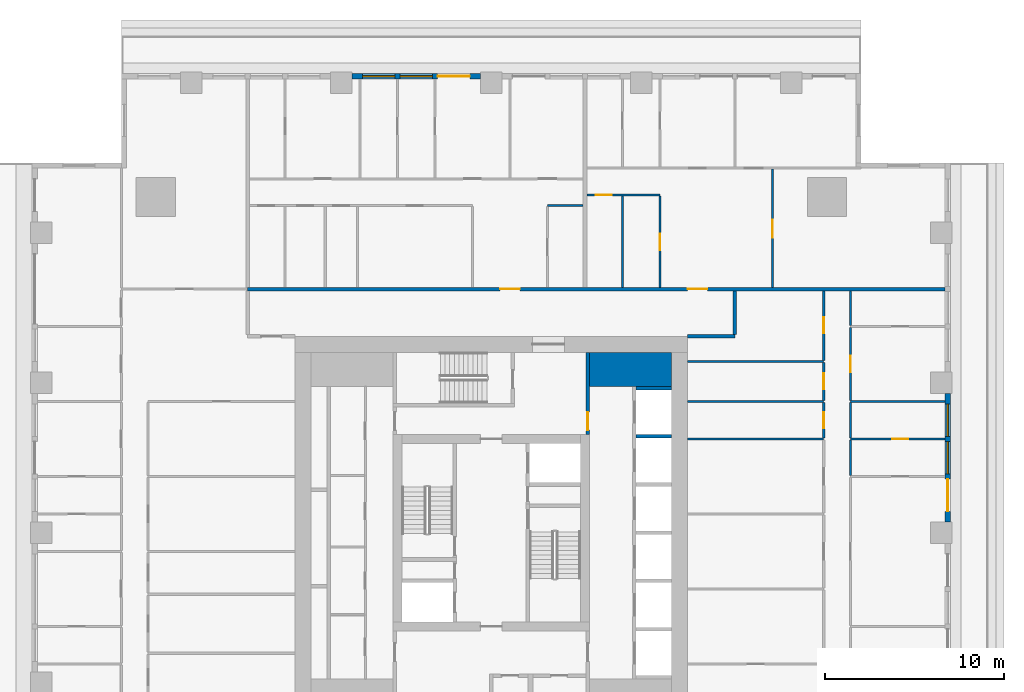
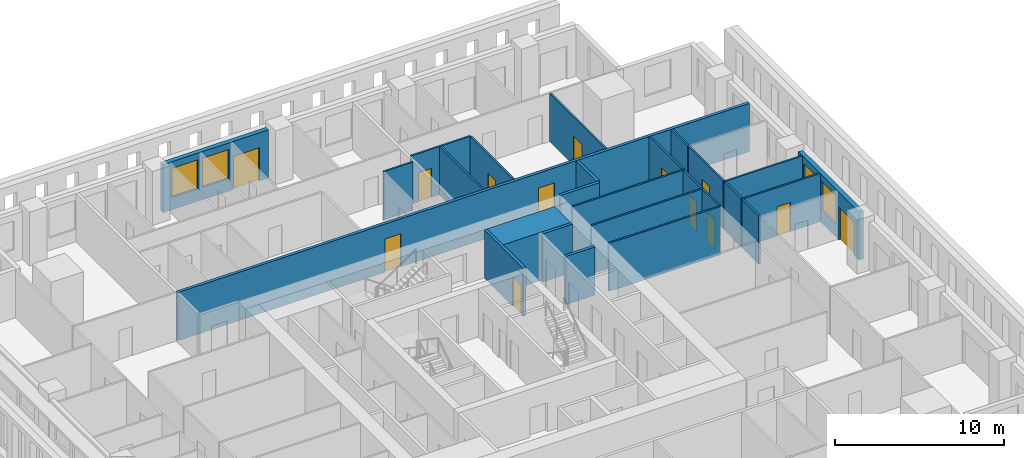
# One storey, part 8 of 15: 26 walls, 13 doors, 4 windows, 17 openings.
"""IFC4 building model written with IfcOpenShell, lengths in metres."""

from ifc_helpers import new_model, si_unit, direction, frame, frame_2d, origin, place, context, subcontext, project, spatial, rectangle, extrude, material, layer, layer_set, type_object, element, fill, save


model = new_model("IFC4")

# Units and contexts
model_context = context("Model", 3, precision=1e-05, world=origin(), true_north=direction((0.0, 1.0)))
body_context = subcontext(model_context, "Body", "Model", "MODEL_VIEW")
ifc_project = project(units=[si_unit("LENGTHUNIT", "METRE"), si_unit("AREAUNIT", "SQUARE_METRE"), si_unit("VOLUMEUNIT", "CUBIC_METRE"), si_unit("PLANEANGLEUNIT", "RADIAN"), si_unit("MASSUNIT", "GRAM", prefix="KILO")], contexts=[model_context])

# Site, building, storey
site_placement = place(None, origin())
site = spatial("IfcSite", under=ifc_project, at=site_placement, CompositionType="ELEMENT")
building_placement = place(site_placement, origin())
building = spatial("IfcBuilding", under=site, at=building_placement, Name="Khepri Terraces", CompositionType="ELEMENT")
storey_placement = place(building_placement, frame((0.0, 0.0, 260.10009765625)))
storey = spatial("IfcBuildingStorey", under=building, at=storey_placement, Name="L62", CompositionType="ELEMENT", Elevation=260.10009765625)

# Walls
ifc_material_1 = material(Name="Concrete C40/50", Category="concrete")
ifc_layer_1 = layer(ifc_material_1, 1.89990234375, Name="Concrete C40/50", Category="concrete")
ifc_layer_set_1 = layer_set([ifc_layer_1], Name="Concrete C40/50")
wall_type_1 = type_object("IfcWallType", Name="Core wall 1900 C40/50", PredefinedType="SHEAR", material=ifc_layer_set_1)
wall_1_placement = place(storey_placement, frame((5.5, 9.14990234375, 0.0), z_axis=(0.0, 0.0, 1.0), x_axis=(1.0, 0.0, 0.0)))
element("IfcWall", 1, at=wall_1_placement, inside=storey, type_object=wall_type_1, Name="Core wall PR04 L62", PredefinedType="SHEAR", context=body_context, shape_type="SweptSolid", body=[
    extrude(rectangle(XDim=4.60009765625, YDim=1.89990234375, at=frame_2d((2.300048828125, 0.0))), origin(), (0.0, 0.0, 1.0), 3.47998046875),
])
ifc_layer_2 = layer(ifc_material_1, 0.199951171875, Name="Concrete C40/50", Category="concrete")
ifc_layer_set_2 = layer_set([ifc_layer_2], Name="Concrete C40/50")
wall_type_2 = type_object("IfcWallType", Name="Core wall 200 C40/50", PredefinedType="SHEAR", material=ifc_layer_set_2)
for number, where, z_axis, x_axis, name in (
    (2, (8.10009765625, 5.39990234375, 0.0), (0.0, 0.0, 1.0), (1.0, 0.0, 0.0), "Core wall SH14 L62"),
    (3, (8.10009765625, 8.10009765625, 0.0), (0.0, 0.0, 1.0), (1.0, 0.0, 0.0), "Core wall SH15 L62"),
):
    element("IfcWall", number, at=place(storey_placement, frame(where, z_axis=z_axis, x_axis=x_axis)), inside=storey, type_object=wall_type_2, Name=name, PredefinedType="SHEAR", context=body_context, shape_type="SweptSolid", body=[
        extrude(rectangle(XDim=2.0, YDim=0.199951171875, at=frame_2d((1.0, 0.0))), origin(), (0.0, 0.0, 1.0), 3.47998046875),
    ])

# Wall, opening, door
ifc_material_2 = material(Name="Fire-rated gypsum board partition")
ifc_layer_3 = layer(ifc_material_2, 0.199951171875, Name="Fire-rated gypsum board partition")
ifc_layer_set_3 = layer_set([ifc_layer_3], Name="Fire-rated gypsum board partition")
wall_type_3 = type_object("IfcWallType", Name="WL-CORE-PART-200", PredefinedType="PARTITIONING", material=ifc_layer_set_3)
wall_2_placement = place(storey_placement, frame((5.39990234375, 5.5, 0.0), z_axis=(0.0, 0.0, 1.0), x_axis=(0.0, 1.0, 0.0)))
wall_2 = element("IfcWall", 4, at=wall_2_placement, inside=storey, type_object=wall_type_3, Name="Core partition PT12 L62", PredefinedType="PARTITIONING", context=body_context, shape_type="SweptSolid", body=[
    extrude(rectangle(XDim=4.60009765625, YDim=0.199951171875, at=frame_2d((2.300048828125, 0.0))), origin(), (0.0, 0.0, 1.0), 3.47998046875),
])
opening_1_placement = place(wall_2_placement, frame((0.25, 0.0, 0.0)))
opening_1 = element("IfcOpeningElement", 5, at=opening_1_placement, cuts=wall_2, Name="Opening L62-C17", PredefinedType="OPENING", context=body_context, shape_type="SweptSolid", body=[
    extrude(rectangle(XDim=1.0, YDim=2.10009765625, at=frame_2d((0.5, 1.050048828125))), frame((0.0, 0.10986328125, 0.0), z_axis=(0.0, -1.0, 0.0), x_axis=(1.0, 0.0, 0.0)), (0.0, 0.0, 1.0), 0.219970703125),
])
ifc_material_3 = material(Name="Painted steel", Category="steel")
door_type_1 = type_object("IfcDoorType", Name="DR-CORE-LOBBY-1000", OperationType="NOTDEFINED", PredefinedType="DOOR", material=ifc_material_3)
door_1_placement = place(opening_1_placement, origin())
door_1 = element("IfcDoor", 6, at=door_1_placement, inside=storey, type_object=door_type_1, Name="Lobby door L62-C17", OperationType="SINGLE_SWING_LEFT", OverallHeight=2.10009765625, OverallWidth=1.0, PredefinedType="DOOR", context=body_context, shape_type="SweptSolid", body=[
    extrude(rectangle(XDim=1.0, YDim=2.10009765625, at=frame_2d((0.5, 1.050048828125))), frame((0.0, 0.02490234375, 0.0), z_axis=(0.0, -1.0, 0.0), x_axis=(1.0, 0.0, 0.0)), (0.0, 0.0, 1.0), 0.050048828125),
])
fill(opening_1, door_1)

# Walls
ifc_material_4 = material(Name="Fire-rated gypsum plasterboard partition, mineral wool")
ifc_layer_4 = layer(ifc_material_4, 0.199951171875, Name="Fire-rated gypsum plasterboard partition, mineral wool")
ifc_layer_set_4 = layer_set([ifc_layer_4], Name="Fire-rated gypsum plasterboard partition, mineral wool")
wall_type_4 = type_object("IfcWallType", Name="WL-CORR-200", PredefinedType="PARTITIONING", material=ifc_layer_set_4)
wall_3_placement = place(storey_placement, frame((11.0, 11.0, 0.0), z_axis=(0.0, 0.0, 1.0), x_axis=(1.0, 0.0, 0.0)))
element("IfcWall", 7, at=wall_3_placement, inside=storey, type_object=wall_type_4, Name="Partition P-072 L62", PredefinedType="PARTITIONING", context=body_context, shape_type="SweptSolid", body=[
    extrude(rectangle(XDim=2.64990234375, YDim=0.199951171875, at=frame_2d((1.324951171875, 0.0))), origin(), (0.0, 0.0, 1.0), 3.47998046875),
])
wall_4_placement = place(storey_placement, frame((13.64990234375, 11.10009765625, 0.0), z_axis=(0.0, 0.0, 1.0), x_axis=(0.0, 1.0, 0.0)))
element("IfcWall", 8, at=wall_4_placement, inside=storey, type_object=wall_type_4, Name="Partition P-074 L62", PredefinedType="PARTITIONING", context=body_context, shape_type="SweptSolid", body=[
    extrude(rectangle(XDim=2.449951171875, YDim=0.199951171875, at=frame_2d((1.22509765625, 0.0))), origin(), (0.0, 0.0, 1.0), 3.47998046875),
])

# Wall, openings, doors
wall_5_placement = place(storey_placement, frame((-13.64990234375, 13.64990234375, 0.0), z_axis=(0.0, 0.0, 1.0), x_axis=(1.0, 0.0, 0.0)))
wall_5 = element("IfcWall", 9, at=wall_5_placement, inside=storey, type_object=wall_type_4, Name="Partition P-080 L62", PredefinedType="PARTITIONING", context=body_context, shape_type="SweptSolid", body=[
    extrude(rectangle(XDim=39.06982421875, YDim=0.199951171875, at=frame_2d((19.534912109375, 0.0))), origin(), (0.0, 0.0, 1.0), 3.47998046875),
])
opening_2_placement = place(wall_5_placement, frame((24.64990234375, 0.0, 0.0)))
opening_2 = element("IfcOpeningElement", 10, at=opening_2_placement, cuts=wall_5, Name="Opening D1", PredefinedType="OPENING", context=body_context, shape_type="SweptSolid", body=[
    extrude(rectangle(XDim=1.10009765625, YDim=2.39990234375, at=frame_2d((0.550048828125, 1.199951171875))), frame((0.0, 0.10986328125, 0.0), z_axis=(0.0, -1.0, 0.0), x_axis=(1.0, 0.0, 0.0)), (0.0, 0.0, 1.0), 0.219970703125),
])
opening_3_placement = place(wall_5_placement, frame((14.14990234375, 0.0, 0.0)))
opening_3 = element("IfcOpeningElement", 11, at=opening_3_placement, cuts=wall_5, Name="Opening D1", PredefinedType="OPENING", context=body_context, shape_type="SweptSolid", body=[
    extrude(rectangle(XDim=1.10009765625, YDim=2.39990234375, at=frame_2d((0.550048828125, 1.199951171875))), frame((0.0, 0.10986328125, 0.0), z_axis=(0.0, -1.0, 0.0), x_axis=(1.0, 0.0, 0.0)), (0.0, 0.0, 1.0), 0.219970703125),
])
ifc_material_5 = material(Name="Solid-core timber door leaf, flat entrance door", Category="wood")
door_type_2 = type_object("IfcDoorType", Name="DR-ENT-1100", OperationType="NOTDEFINED", PredefinedType="DOOR", material=ifc_material_5)
door_2_placement = place(opening_2_placement, origin())
door_2 = element("IfcDoor", 12, at=door_2_placement, inside=storey, type_object=door_type_2, Name="Flat C1 entrance door", OperationType="SINGLE_SWING_RIGHT", OverallHeight=2.39990234375, OverallWidth=1.10009765625, PredefinedType="DOOR", context=body_context, shape_type="SweptSolid", body=[
    extrude(rectangle(XDim=1.10009765625, YDim=2.39990234375, at=frame_2d((0.550048828125, 1.199951171875))), frame((0.0, 0.02490234375, 0.0), z_axis=(0.0, -1.0, 0.0), x_axis=(1.0, 0.0, 0.0)), (0.0, 0.0, 1.0), 0.050048828125),
])
fill(opening_2, door_2)
door_3_placement = place(opening_3_placement, origin())
door_3 = element("IfcDoor", 13, at=door_3_placement, inside=storey, type_object=door_type_2, Name="Flat C2 entrance door", OperationType="SINGLE_SWING_LEFT", OverallHeight=2.39990234375, OverallWidth=1.10009765625, PredefinedType="DOOR", context=body_context, shape_type="SweptSolid", body=[
    extrude(rectangle(XDim=1.10009765625, YDim=2.39990234375, at=frame_2d((0.550048828125, 1.199951171875))), frame((0.0, 0.02490234375, 0.0), z_axis=(0.0, -1.0, 0.0), x_axis=(1.0, 0.0, 0.0)), (0.0, 0.0, 1.0), 0.050048828125),
])
fill(opening_3, door_3)

# Wall, openings, door, windows
ifc_material_6 = material(Name="Precast concrete C50/60 warm stone", Category="masonry")
ifc_layer_5 = layer(ifc_material_6, 0.300048828125, Name="Precast concrete C50/60 warm stone", Category="masonry")
ifc_layer_set_5 = layer_set([ifc_layer_5], Name="Precast concrete C50/60 warm stone")
wall_type_5 = type_object("IfcWallType", Name="WL-EXT-PRECAST-300", PredefinedType="STANDARD", material=ifc_layer_set_5)
wall_6_placement = place(storey_placement, frame((25.570068359375, 0.60009765625, 0.0), z_axis=(0.0, 0.0, 1.0), x_axis=(0.0, 1.0, 0.0)))
wall_6 = element("IfcWall", 14, at=wall_6_placement, inside=storey, type_object=wall_type_5, Name="External wall L62 E", PredefinedType="STANDARD", context=body_context, shape_type="SweptSolid", body=[
    extrude(rectangle(XDim=7.199951171875, YDim=0.300048828125, at=frame_2d((3.60009765625, 0.0))), origin(), (0.0, 0.0, 1.0), 3.47998046875),
])
opening_4_placement = place(wall_6_placement, frame((0.60009765625, 0.0, 0.0)))
opening_4 = element("IfcOpeningElement", 15, at=opening_4_placement, cuts=wall_6, Name="Opening ED-L62-06", PredefinedType="OPENING", context=body_context, shape_type="SweptSolid", body=[
    extrude(rectangle(XDim=1.800048828125, YDim=2.39990234375, at=frame_2d((0.89990234375, 1.199951171875))), frame((0.0, 0.16015625, 0.0), z_axis=(0.0, -1.0, 0.0), x_axis=(1.0, 0.0, 0.0)), (0.0, 0.0, 1.0), 0.320068359375),
])
opening_5_placement = place(wall_6_placement, frame((2.699951171875, 0.0, 0.89990234375)))
opening_5 = element("IfcOpeningElement", 16, at=opening_5_placement, cuts=wall_6, Name="Opening W1", PredefinedType="OPENING", context=body_context, shape_type="SweptSolid", body=[
    extrude(rectangle(XDim=1.800048828125, YDim=2.10009765625, at=frame_2d((0.89990234375, 1.050048828125))), frame((0.0, 0.16015625, 0.0), z_axis=(0.0, -1.0, 0.0), x_axis=(1.0, 0.0, 0.0)), (0.0, 0.0, 1.0), 0.320068359375),
])
opening_6_placement = place(wall_6_placement, frame((4.800048828125, 0.0, 0.89990234375)))
opening_6 = element("IfcOpeningElement", 17, at=opening_6_placement, cuts=wall_6, Name="Opening W1", PredefinedType="OPENING", context=body_context, shape_type="SweptSolid", body=[
    extrude(rectangle(XDim=1.800048828125, YDim=2.10009765625, at=frame_2d((0.89990234375, 1.050048828125))), frame((0.0, 0.16015625, 0.0), z_axis=(0.0, -1.0, 0.0), x_axis=(1.0, 0.0, 0.0)), (0.0, 0.0, 1.0), 0.320068359375),
])
ifc_material_7 = material(Name="Anodised aluminium bronze glazed door", Category="aluminium")
door_type_3 = type_object("IfcDoorType", Name="DR-BAL-SLIDE-1800x2400", OperationType="NOTDEFINED", PredefinedType="DOOR", material=ifc_material_7)
door_4_placement = place(opening_4_placement, origin())
door_4 = element("IfcDoor", 18, at=door_4_placement, inside=storey, type_object=door_type_3, Name="Balcony door L62 E", OperationType="SLIDING_TO_LEFT", OverallHeight=2.39990234375, OverallWidth=1.800048828125, PredefinedType="DOOR", context=body_context, shape_type="SweptSolid", body=[
    extrude(rectangle(XDim=1.800048828125, YDim=2.39990234375, at=frame_2d((0.89990234375, 1.199951171875))), frame((0.0, 0.02490234375, 0.0), z_axis=(0.0, -1.0, 0.0), x_axis=(1.0, 0.0, 0.0)), (0.0, 0.0, 1.0), 0.050048828125),
])
fill(opening_4, door_4)
ifc_material_8 = material(Name="Clear glass", Category="glass")
window_type = type_object("IfcWindowType", Name="WIN-RES-1800x2100", PartitioningType="SINGLE_PANEL", PredefinedType="WINDOW", material=ifc_material_8)
window_1_placement = place(opening_5_placement, origin())
window_1 = element("IfcWindow", 19, at=window_1_placement, inside=storey, type_object=window_type, Name="Window L62 E", OverallHeight=2.10009765625, OverallWidth=1.800048828125, PartitioningType="SINGLE_PANEL", PredefinedType="WINDOW", context=body_context, shape_type="SweptSolid", body=[
    extrude(rectangle(XDim=1.800048828125, YDim=2.10009765625, at=frame_2d((0.89990234375, 1.050048828125))), frame((0.0, 0.030029296875, 0.0), z_axis=(0.0, -1.0, 0.0), x_axis=(1.0, 0.0, 0.0)), (0.0, 0.0, 1.0), 0.06005859375),
])
fill(opening_5, window_1)
window_2_placement = place(opening_6_placement, origin())
window_2 = element("IfcWindow", 20, at=window_2_placement, inside=storey, type_object=window_type, Name="Window L62 E", OverallHeight=2.10009765625, OverallWidth=1.800048828125, PartitioningType="SINGLE_PANEL", PredefinedType="WINDOW", context=body_context, shape_type="SweptSolid", body=[
    extrude(rectangle(XDim=1.800048828125, YDim=2.10009765625, at=frame_2d((0.89990234375, 1.050048828125))), frame((0.0, 0.030029296875, 0.0), z_axis=(0.0, -1.0, 0.0), x_axis=(1.0, 0.0, 0.0)), (0.0, 0.0, 1.0), 0.06005859375),
])
fill(opening_6, window_2)

wall_7_placement = place(storey_placement, frame((-0.60009765625, 25.570068359375, 0.0), z_axis=(0.0, 0.0, 1.0), x_axis=(-1.0, 0.0, 0.0)))
wall_7 = element("IfcWall", 21, at=wall_7_placement, inside=storey, type_object=wall_type_5, Name="External wall L62 N", PredefinedType="STANDARD", context=body_context, shape_type="SweptSolid", body=[
    extrude(rectangle(XDim=7.199951171875, YDim=0.300048828125, at=frame_2d((3.60009765625, 0.0))), origin(), (0.0, 0.0, 1.0), 3.47998046875),
])
opening_7_placement = place(wall_7_placement, frame((0.60009765625, 0.0, 0.0)))
opening_7 = element("IfcOpeningElement", 22, at=opening_7_placement, cuts=wall_7, Name="Opening ED-L62-11", PredefinedType="OPENING", context=body_context, shape_type="SweptSolid", body=[
    extrude(rectangle(XDim=1.800048828125, YDim=2.39990234375, at=frame_2d((0.89990234375, 1.199951171875))), frame((0.0, 0.16015625, 0.0), z_axis=(0.0, -1.0, 0.0), x_axis=(1.0, 0.0, 0.0)), (0.0, 0.0, 1.0), 0.320068359375),
])
opening_8_placement = place(wall_7_placement, frame((2.699951171875, 0.0, 0.89990234375)))
opening_8 = element("IfcOpeningElement", 23, at=opening_8_placement, cuts=wall_7, Name="Opening W1", PredefinedType="OPENING", context=body_context, shape_type="SweptSolid", body=[
    extrude(rectangle(XDim=1.800048828125, YDim=2.10009765625, at=frame_2d((0.89990234375, 1.050048828125))), frame((0.0, 0.16015625, 0.0), z_axis=(0.0, -1.0, 0.0), x_axis=(1.0, 0.0, 0.0)), (0.0, 0.0, 1.0), 0.320068359375),
])
opening_9_placement = place(wall_7_placement, frame((4.800048828125, 0.0, 0.89990234375)))
opening_9 = element("IfcOpeningElement", 24, at=opening_9_placement, cuts=wall_7, Name="Opening W1", PredefinedType="OPENING", context=body_context, shape_type="SweptSolid", body=[
    extrude(rectangle(XDim=1.800048828125, YDim=2.10009765625, at=frame_2d((0.89990234375, 1.050048828125))), frame((0.0, 0.16015625, 0.0), z_axis=(0.0, -1.0, 0.0), x_axis=(1.0, 0.0, 0.0)), (0.0, 0.0, 1.0), 0.320068359375),
])
door_5_placement = place(opening_7_placement, origin())
door_5 = element("IfcDoor", 25, at=door_5_placement, inside=storey, type_object=door_type_3, Name="Balcony door L62 N", OperationType="SLIDING_TO_LEFT", OverallHeight=2.39990234375, OverallWidth=1.800048828125, PredefinedType="DOOR", context=body_context, shape_type="SweptSolid", body=[
    extrude(rectangle(XDim=1.800048828125, YDim=2.39990234375, at=frame_2d((0.89990234375, 1.199951171875))), frame((0.0, 0.02490234375, 0.0), z_axis=(0.0, -1.0, 0.0), x_axis=(1.0, 0.0, 0.0)), (0.0, 0.0, 1.0), 0.050048828125),
])
fill(opening_7, door_5)
window_3_placement = place(opening_8_placement, origin())
window_3 = element("IfcWindow", 26, at=window_3_placement, inside=storey, type_object=window_type, Name="Window L62 N", OverallHeight=2.10009765625, OverallWidth=1.800048828125, PartitioningType="SINGLE_PANEL", PredefinedType="WINDOW", context=body_context, shape_type="SweptSolid", body=[
    extrude(rectangle(XDim=1.800048828125, YDim=2.10009765625, at=frame_2d((0.89990234375, 1.050048828125))), frame((0.0, 0.030029296875, 0.0), z_axis=(0.0, -1.0, 0.0), x_axis=(1.0, 0.0, 0.0)), (0.0, 0.0, 1.0), 0.06005859375),
])
fill(opening_8, window_3)
window_4_placement = place(opening_9_placement, origin())
window_4 = element("IfcWindow", 27, at=window_4_placement, inside=storey, type_object=window_type, Name="Window L62 N", OverallHeight=2.10009765625, OverallWidth=1.800048828125, PartitioningType="SINGLE_PANEL", PredefinedType="WINDOW", context=body_context, shape_type="SweptSolid", body=[
    extrude(rectangle(XDim=1.800048828125, YDim=2.10009765625, at=frame_2d((0.89990234375, 1.050048828125))), frame((0.0, 0.030029296875, 0.0), z_axis=(0.0, -1.0, 0.0), x_axis=(1.0, 0.0, 0.0)), (0.0, 0.0, 1.0), 0.06005859375),
])
fill(opening_9, window_4)

# Walls
ifc_material_9 = material(Name="Gypsum plasterboard partition")
ifc_layer_6 = layer(ifc_material_9, 0.1201171875, Name="Gypsum plasterboard partition")
ifc_layer_set_6 = layer_set([ifc_layer_6], Name="Gypsum plasterboard partition")
wall_type_6 = type_object("IfcWallType", Name="WL-PART-120", PredefinedType="PARTITIONING", material=ifc_layer_set_6)
wall_8_placement = place(storey_placement, frame((20.1201171875, 3.2099609375, 0.0), z_axis=(0.0, 0.0, 1.0), x_axis=(0.0, 1.0, 0.0)))
element("IfcWall", 28, at=wall_8_placement, inside=storey, type_object=wall_type_6, Name="Partition P-057 L62", PredefinedType="PARTITIONING", context=body_context, shape_type="SweptSolid", body=[
    extrude(rectangle(XDim=1.97998046875, YDim=0.1201171875, at=frame_2d((0.989990234375, 0.0))), origin(), (0.0, 0.0, 1.0), 3.47998046875),
])
wall_9_placement = place(storey_placement, frame((11.0, 5.25, 0.0), z_axis=(0.0, 0.0, 1.0), x_axis=(1.0, 0.0, 0.0)))
element("IfcWall", 29, at=wall_9_placement, inside=storey, type_object=wall_type_6, Name="Partition P-058 L62", PredefinedType="PARTITIONING", context=body_context, shape_type="SweptSolid", body=[
    extrude(rectangle(XDim=7.6201171875, YDim=0.1201171875, at=frame_2d((3.81005859375, 0.0))), origin(), (0.0, 0.0, 1.0), 3.47998046875),
])

# Wall, opening, door
wall_10_placement = place(storey_placement, frame((20.1201171875, 5.25, 0.0), z_axis=(0.0, 0.0, 1.0), x_axis=(1.0, 0.0, 0.0)))
wall_10 = element("IfcWall", 30, at=wall_10_placement, inside=storey, type_object=wall_type_6, Name="Partition P-059 L62", PredefinedType="PARTITIONING", context=body_context, shape_type="SweptSolid", body=[
    extrude(rectangle(XDim=5.2998046875, YDim=0.1201171875, at=frame_2d((2.64990234375, 0.0))), origin(), (0.0, 0.0, 1.0), 3.47998046875),
])
opening_10_placement = place(wall_10_placement, frame((2.35009765625, 0.0, 0.0)))
opening_10 = element("IfcOpeningElement", 31, at=opening_10_placement, cuts=wall_10, Name="Opening D4", PredefinedType="OPENING", context=body_context, shape_type="SweptSolid", body=[
    extrude(rectangle(XDim=0.89990234375, YDim=2.10009765625, at=frame_2d((0.449951171875, 1.050048828125))), frame((0.0, 0.070068359375, 0.0), z_axis=(0.0, -1.0, 0.0), x_axis=(1.0, 0.0, 0.0)), (0.0, 0.0, 1.0), 0.14013671875),
])
ifc_material_10 = material(Name="Timber door leaf, moisture resistant", Category="wood")
door_type_4 = type_object("IfcDoorType", Name="DR-WET-900", OperationType="NOTDEFINED", PredefinedType="DOOR", material=ifc_material_10)
door_6_placement = place(opening_10_placement, origin())
door_6 = element("IfcDoor", 32, at=door_6_placement, inside=storey, type_object=door_type_4, Name="Door Bathroom", OperationType="SINGLE_SWING_RIGHT", OverallHeight=2.10009765625, OverallWidth=0.89990234375, PredefinedType="DOOR", context=body_context, shape_type="SweptSolid", body=[
    extrude(rectangle(XDim=0.89990234375, YDim=2.10009765625, at=frame_2d((0.449951171875, 1.050048828125))), frame((0.0, 0.02490234375, 0.0), z_axis=(0.0, -1.0, 0.0), x_axis=(1.0, 0.0, 0.0)), (0.0, 0.0, 1.0), 0.050048828125),
])
fill(opening_10, door_6)

wall_11_placement = place(storey_placement, frame((18.6201171875, 5.31005859375, 0.0), z_axis=(0.0, 0.0, 1.0), x_axis=(0.0, 1.0, 0.0)))
wall_11 = element("IfcWall", 33, at=wall_11_placement, inside=storey, type_object=wall_type_6, Name="Partition P-060 L62", PredefinedType="PARTITIONING", context=body_context, shape_type="SweptSolid", body=[
    extrude(rectangle(XDim=1.97998046875, YDim=0.1201171875, at=frame_2d((0.989990234375, 0.0))), origin(), (0.0, 0.0, 1.0), 3.47998046875),
])
opening_11_placement = place(wall_11_placement, frame((0.5400390625, 0.0, 0.0)))
opening_11 = element("IfcOpeningElement", 34, at=opening_11_placement, cuts=wall_11, Name="Opening D4", PredefinedType="OPENING", context=body_context, shape_type="SweptSolid", body=[
    extrude(rectangle(XDim=0.89990234375, YDim=2.10009765625, at=frame_2d((0.449951171875, 1.050048828125))), frame((0.0, 0.070068359375, 0.0), z_axis=(0.0, -1.0, 0.0), x_axis=(1.0, 0.0, 0.0)), (0.0, 0.0, 1.0), 0.14013671875),
])
door_7_placement = place(opening_11_placement, origin())
door_7 = element("IfcDoor", 35, at=door_7_placement, inside=storey, type_object=door_type_4, Name="Door Powder Room", OperationType="SINGLE_SWING_RIGHT", OverallHeight=2.10009765625, OverallWidth=0.89990234375, PredefinedType="DOOR", context=body_context, shape_type="SweptSolid", body=[
    extrude(rectangle(XDim=0.89990234375, YDim=2.10009765625, at=frame_2d((0.449951171875, 1.050048828125))), frame((0.0, 0.02490234375, 0.0), z_axis=(0.0, -1.0, 0.0), x_axis=(1.0, 0.0, 0.0)), (0.0, 0.0, 1.0), 0.050048828125),
])
fill(opening_11, door_7)

# Walls
wall_12_placement = place(storey_placement, frame((20.1201171875, 5.31005859375, 0.0), z_axis=(0.0, 0.0, 1.0), x_axis=(0.0, 1.0, 0.0)))
element("IfcWall", 36, at=wall_12_placement, inside=storey, type_object=wall_type_6, Name="Partition P-061 L62", PredefinedType="PARTITIONING", context=body_context, shape_type="SweptSolid", body=[
    extrude(rectangle(XDim=1.97998046875, YDim=0.1201171875, at=frame_2d((0.989990234375, 0.0))), origin(), (0.0, 0.0, 1.0), 3.47998046875),
])
wall_13_placement = place(storey_placement, frame((11.0, 7.35009765625, 0.0), z_axis=(0.0, 0.0, 1.0), x_axis=(1.0, 0.0, 0.0)))
element("IfcWall", 37, at=wall_13_placement, inside=storey, type_object=wall_type_6, Name="Partition P-064 L62", PredefinedType="PARTITIONING", context=body_context, shape_type="SweptSolid", body=[
    extrude(rectangle(XDim=7.6201171875, YDim=0.1201171875, at=frame_2d((3.81005859375, 0.0))), origin(), (0.0, 0.0, 1.0), 3.47998046875),
])
wall_14_placement = place(storey_placement, frame((20.1201171875, 7.35009765625, 0.0), z_axis=(0.0, 0.0, 1.0), x_axis=(1.0, 0.0, 0.0)))
element("IfcWall", 38, at=wall_14_placement, inside=storey, type_object=wall_type_6, Name="Partition P-065 L62", PredefinedType="PARTITIONING", context=body_context, shape_type="SweptSolid", body=[
    extrude(rectangle(XDim=5.2998046875, YDim=0.1201171875, at=frame_2d((2.64990234375, 0.0))), origin(), (0.0, 0.0, 1.0), 3.47998046875),
])

# Wall, opening, door
wall_15_placement = place(storey_placement, frame((18.6201171875, 7.409912109375, 0.0), z_axis=(0.0, 0.0, 1.0), x_axis=(0.0, 1.0, 0.0)))
wall_15 = element("IfcWall", 39, at=wall_15_placement, inside=storey, type_object=wall_type_6, Name="Partition P-067 L62", PredefinedType="PARTITIONING", context=body_context, shape_type="SweptSolid", body=[
    extrude(rectangle(XDim=2.130126953125, YDim=0.1201171875, at=frame_2d((1.06494140625, 0.0))), origin(), (0.0, 0.0, 1.0), 3.47998046875),
])
opening_12_placement = place(wall_15_placement, frame((0.614990234375, 0.0, 0.0)))
opening_12 = element("IfcOpeningElement", 40, at=opening_12_placement, cuts=wall_15, Name="Opening D4", PredefinedType="OPENING", context=body_context, shape_type="SweptSolid", body=[
    extrude(rectangle(XDim=0.89990234375, YDim=2.10009765625, at=frame_2d((0.449951171875, 1.050048828125))), frame((0.0, 0.070068359375, 0.0), z_axis=(0.0, -1.0, 0.0), x_axis=(1.0, 0.0, 0.0)), (0.0, 0.0, 1.0), 0.14013671875),
])
door_8_placement = place(opening_12_placement, origin())
door_8 = element("IfcDoor", 41, at=door_8_placement, inside=storey, type_object=door_type_4, Name="Door Guest Bathroom", OperationType="SINGLE_SWING_RIGHT", OverallHeight=2.10009765625, OverallWidth=0.89990234375, PredefinedType="DOOR", context=body_context, shape_type="SweptSolid", body=[
    extrude(rectangle(XDim=0.89990234375, YDim=2.10009765625, at=frame_2d((0.449951171875, 1.050048828125))), frame((0.0, 0.02490234375, 0.0), z_axis=(0.0, -1.0, 0.0), x_axis=(1.0, 0.0, 0.0)), (0.0, 0.0, 1.0), 0.050048828125),
])
fill(opening_12, door_8)

wall_16_placement = place(storey_placement, frame((20.1201171875, 7.409912109375, 0.0), z_axis=(0.0, 0.0, 1.0), x_axis=(0.0, 1.0, 0.0)))
wall_16 = element("IfcWall", 42, at=wall_16_placement, inside=storey, type_object=wall_type_6, Name="Partition P-068 L62", PredefinedType="PARTITIONING", context=body_context, shape_type="SweptSolid", body=[
    extrude(rectangle(XDim=4.080078125, YDim=0.1201171875, at=frame_2d((2.0400390625, 0.0))), origin(), (0.0, 0.0, 1.0), 3.47998046875),
])
opening_13_placement = place(wall_16_placement, frame((1.590087890625, 0.0, 0.0)))
opening_13 = element("IfcOpeningElement", 43, at=opening_13_placement, cuts=wall_16, Name="Opening D3", PredefinedType="OPENING", context=body_context, shape_type="SweptSolid", body=[
    extrude(rectangle(XDim=0.89990234375, YDim=2.10009765625, at=frame_2d((0.449951171875, 1.050048828125))), frame((0.0, 0.070068359375, 0.0), z_axis=(0.0, -1.0, 0.0), x_axis=(1.0, 0.0, 0.0)), (0.0, 0.0, 1.0), 0.14013671875),
])
ifc_material_11 = material(Name="Timber door leaf", Category="wood")
door_type_5 = type_object("IfcDoorType", Name="DR-INT-900", OperationType="NOTDEFINED", PredefinedType="DOOR", material=ifc_material_11)
door_9_placement = place(opening_13_placement, frame((0.89990234375, 0.0, 0.0), z_axis=(0.0, 0.0, 1.0), x_axis=(-1.0, 0.0, 0.0)))
door_9 = element("IfcDoor", 44, at=door_9_placement, inside=storey, type_object=door_type_5, Name="Door Bedroom", OperationType="SINGLE_SWING_RIGHT", OverallHeight=2.10009765625, OverallWidth=0.89990234375, PredefinedType="DOOR", context=body_context, shape_type="SweptSolid", body=[
    extrude(rectangle(XDim=0.89990234375, YDim=2.10009765625, at=frame_2d((0.449951171875, 1.050048828125))), frame((0.0, 0.02490234375, 0.0), z_axis=(0.0, -1.0, 0.0), x_axis=(1.0, 0.0, 0.0)), (0.0, 0.0, 1.0), 0.050048828125),
])
fill(opening_13, door_9)

# Wall
wall_17_placement = place(storey_placement, frame((11.0, 9.60009765625, 0.0), z_axis=(0.0, 0.0, 1.0), x_axis=(1.0, 0.0, 0.0)))
element("IfcWall", 45, at=wall_17_placement, inside=storey, type_object=wall_type_6, Name="Partition P-069 L62", PredefinedType="PARTITIONING", context=body_context, shape_type="SweptSolid", body=[
    extrude(rectangle(XDim=7.6201171875, YDim=0.1201171875, at=frame_2d((3.81005859375, 0.0))), origin(), (0.0, 0.0, 1.0), 3.47998046875),
])

# Wall, opening, door
wall_18_placement = place(storey_placement, frame((18.6201171875, 9.659912109375, 0.0), z_axis=(0.0, 0.0, 1.0), x_axis=(0.0, 1.0, 0.0)))
wall_18 = element("IfcWall", 46, at=wall_18_placement, inside=storey, type_object=wall_type_6, Name="Partition P-070 L62", PredefinedType="PARTITIONING", context=body_context, shape_type="SweptSolid", body=[
    extrude(rectangle(XDim=3.89013671875, YDim=0.1201171875, at=frame_2d((1.945068359375, 0.0))), origin(), (0.0, 0.0, 1.0), 3.47998046875),
])
opening_14_placement = place(wall_18_placement, frame((1.514892578125, 0.0, 0.0)))
opening_14 = element("IfcOpeningElement", 47, at=opening_14_placement, cuts=wall_18, Name="Opening D3", PredefinedType="OPENING", context=body_context, shape_type="SweptSolid", body=[
    extrude(rectangle(XDim=0.89990234375, YDim=2.10009765625, at=frame_2d((0.449951171875, 1.050048828125))), frame((0.0, 0.070068359375, 0.0), z_axis=(0.0, -1.0, 0.0), x_axis=(1.0, 0.0, 0.0)), (0.0, 0.0, 1.0), 0.14013671875),
])
door_10_placement = place(opening_14_placement, origin())
door_10 = element("IfcDoor", 48, at=door_10_placement, inside=storey, type_object=door_type_5, Name="Door Library", OperationType="SINGLE_SWING_RIGHT", OverallHeight=2.10009765625, OverallWidth=0.89990234375, PredefinedType="DOOR", context=body_context, shape_type="SweptSolid", body=[
    extrude(rectangle(XDim=0.89990234375, YDim=2.10009765625, at=frame_2d((0.449951171875, 1.050048828125))), frame((0.0, 0.02490234375, 0.0), z_axis=(0.0, -1.0, 0.0), x_axis=(1.0, 0.0, 0.0)), (0.0, 0.0, 1.0), 0.050048828125),
])
fill(opening_14, door_10)

# Walls
wall_19_placement = place(storey_placement, frame((20.1201171875, 11.610107421875, 0.0), z_axis=(0.0, 0.0, 1.0), x_axis=(0.0, 1.0, 0.0)))
element("IfcWall", 49, at=wall_19_placement, inside=storey, type_object=wall_type_6, Name="Partition P-078 L62", PredefinedType="PARTITIONING", context=body_context, shape_type="SweptSolid", body=[
    extrude(rectangle(XDim=1.93994140625, YDim=0.1201171875, at=frame_2d((0.969970703125, 0.0))), origin(), (0.0, 0.0, 1.0), 3.47998046875),
])
wall_20_placement = place(storey_placement, frame((7.35009765625, 13.75, 0.0), z_axis=(0.0, 0.0, 1.0), x_axis=(0.0, 1.0, 0.0)))
element("IfcWall", 50, at=wall_20_placement, inside=storey, type_object=wall_type_6, Name="Partition P-089 L62", PredefinedType="PARTITIONING", context=body_context, shape_type="SweptSolid", body=[
    extrude(rectangle(XDim=5.110107421875, YDim=0.1201171875, at=frame_2d((2.55517578125, 0.0))), origin(), (0.0, 0.0, 1.0), 3.47998046875),
])

# Wall, opening, door
wall_21_placement = place(storey_placement, frame((9.449951171875, 13.75, 0.0), z_axis=(0.0, 0.0, 1.0), x_axis=(0.0, 1.0, 0.0)))
wall_21 = element("IfcWall", 51, at=wall_21_placement, inside=storey, type_object=wall_type_6, Name="Partition P-090 L62", PredefinedType="PARTITIONING", context=body_context, shape_type="SweptSolid", body=[
    extrude(rectangle(XDim=5.110107421875, YDim=0.1201171875, at=frame_2d((2.55517578125, 0.0))), origin(), (0.0, 0.0, 1.0), 3.47998046875),
])
opening_15_placement = place(wall_21_placement, frame((2.0849609375, 0.0, 0.0)))
opening_15 = element("IfcOpeningElement", 52, at=opening_15_placement, cuts=wall_21, Name="Opening D4", PredefinedType="OPENING", context=body_context, shape_type="SweptSolid", body=[
    extrude(rectangle(XDim=0.89990234375, YDim=2.10009765625, at=frame_2d((0.449951171875, 1.050048828125))), frame((0.0, 0.070068359375, 0.0), z_axis=(0.0, -1.0, 0.0), x_axis=(1.0, 0.0, 0.0)), (0.0, 0.0, 1.0), 0.14013671875),
])
door_11_placement = place(opening_15_placement, origin())
door_11 = element("IfcDoor", 53, at=door_11_placement, inside=storey, type_object=door_type_4, Name="Door Guest Bathroom", OperationType="SINGLE_SWING_LEFT", OverallHeight=2.10009765625, OverallWidth=0.89990234375, PredefinedType="DOOR", context=body_context, shape_type="SweptSolid", body=[
    extrude(rectangle(XDim=0.89990234375, YDim=2.10009765625, at=frame_2d((0.449951171875, 1.050048828125))), frame((0.0, 0.02490234375, 0.0), z_axis=(0.0, -1.0, 0.0), x_axis=(1.0, 0.0, 0.0)), (0.0, 0.0, 1.0), 0.050048828125),
])
fill(opening_15, door_11)

wall_22_placement = place(storey_placement, frame((15.75, 13.75, 0.0), z_axis=(0.0, 0.0, 1.0), x_axis=(0.0, 1.0, 0.0)))
wall_22 = element("IfcWall", 54, at=wall_22_placement, inside=storey, type_object=wall_type_6, Name="Partition P-091 L62", PredefinedType="PARTITIONING", context=body_context, shape_type="SweptSolid", body=[
    extrude(rectangle(XDim=6.610107421875, YDim=0.1201171875, at=frame_2d((3.30517578125, 0.0))), origin(), (0.0, 0.0, 1.0), 3.47998046875),
])
opening_16_placement = place(wall_22_placement, frame((2.784912109375, 0.0, 0.0)))
opening_16 = element("IfcOpeningElement", 55, at=opening_16_placement, cuts=wall_22, Name="Opening D2", PredefinedType="OPENING", context=body_context, shape_type="SweptSolid", body=[
    extrude(rectangle(XDim=1.0, YDim=2.10009765625, at=frame_2d((0.5, 1.050048828125))), frame((0.0, 0.070068359375, 0.0), z_axis=(0.0, -1.0, 0.0), x_axis=(1.0, 0.0, 0.0)), (0.0, 0.0, 1.0), 0.14013671875),
])
ifc_material_12 = material(Name="Timber door leaf, living room door", Category="wood")
door_type_6 = type_object("IfcDoorType", Name="DR-INT-1000", OperationType="NOTDEFINED", PredefinedType="DOOR", material=ifc_material_12)
door_12_placement = place(opening_16_placement, frame((1.0, 0.0, 0.0), z_axis=(0.0, 0.0, 1.0), x_axis=(-1.0, 0.0, 0.0)))
door_12 = element("IfcDoor", 56, at=door_12_placement, inside=storey, type_object=door_type_6, Name="Door Family Room", OperationType="SINGLE_SWING_RIGHT", OverallHeight=2.10009765625, OverallWidth=1.0, PredefinedType="DOOR", context=body_context, shape_type="SweptSolid", body=[
    extrude(rectangle(XDim=1.0, YDim=2.10009765625, at=frame_2d((0.5, 1.050048828125))), frame((0.0, 0.02490234375, 0.0), z_axis=(0.0, -1.0, 0.0), x_axis=(1.0, 0.0, 0.0)), (0.0, 0.0, 1.0), 0.050048828125),
])
fill(opening_16, door_12)

# Wall
wall_23_placement = place(storey_placement, frame((3.14990234375, 18.320068359375, 0.0), z_axis=(0.0, 0.0, 1.0), x_axis=(1.0, 0.0, 0.0)))
element("IfcWall", 57, at=wall_23_placement, inside=storey, type_object=wall_type_6, Name="Partition P-093 L62", PredefinedType="PARTITIONING", context=body_context, shape_type="SweptSolid", body=[
    extrude(rectangle(XDim=2.0, YDim=0.1201171875, at=frame_2d((1.0, 0.0))), origin(), (0.0, 0.0, 1.0), 3.47998046875),
])

# Wall, opening, door
wall_24_placement = place(storey_placement, frame((5.35009765625, 18.919921875, 0.0), z_axis=(0.0, 0.0, 1.0), x_axis=(1.0, 0.0, 0.0)))
wall_24 = element("IfcWall", 58, at=wall_24_placement, inside=storey, type_object=wall_type_6, Name="Partition P-094 L62", PredefinedType="PARTITIONING", context=body_context, shape_type="SweptSolid", body=[
    extrude(rectangle(XDim=4.099853515625, YDim=0.1201171875, at=frame_2d((2.0498046875, 0.0))), origin(), (0.0, 0.0, 1.0), 3.47998046875),
])
opening_17_placement = place(wall_24_placement, frame((0.5, 0.0, 0.0)))
opening_17 = element("IfcOpeningElement", 59, at=opening_17_placement, cuts=wall_24, Name="Opening D3", PredefinedType="OPENING", context=body_context, shape_type="SweptSolid", body=[
    extrude(rectangle(XDim=0.89990234375, YDim=2.10009765625, at=frame_2d((0.449951171875, 1.050048828125))), frame((0.0, 0.070068359375, 0.0), z_axis=(0.0, -1.0, 0.0), x_axis=(1.0, 0.0, 0.0)), (0.0, 0.0, 1.0), 0.14013671875),
])
door_13_placement = place(opening_17_placement, frame((0.89990234375, 0.0, 0.0), z_axis=(0.0, 0.0, 1.0), x_axis=(-1.0, 0.0, 0.0)))
door_13 = element("IfcDoor", 60, at=door_13_placement, inside=storey, type_object=door_type_5, Name="Door Kitchen", OperationType="SINGLE_SWING_RIGHT", OverallHeight=2.10009765625, OverallWidth=0.89990234375, PredefinedType="DOOR", context=body_context, shape_type="SweptSolid", body=[
    extrude(rectangle(XDim=0.89990234375, YDim=2.10009765625, at=frame_2d((0.449951171875, 1.050048828125))), frame((0.0, 0.02490234375, 0.0), z_axis=(0.0, -1.0, 0.0), x_axis=(1.0, 0.0, 0.0)), (0.0, 0.0, 1.0), 0.050048828125),
])
fill(opening_17, door_13)

save(model, "model.ifc")
